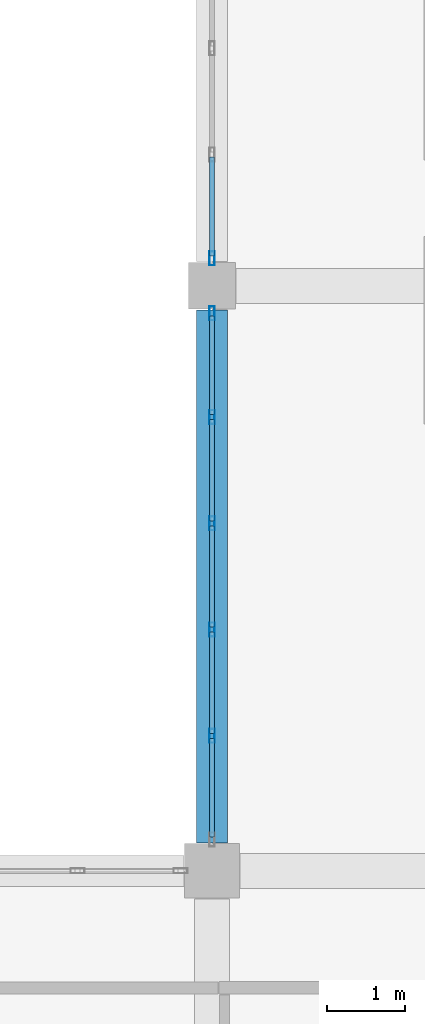
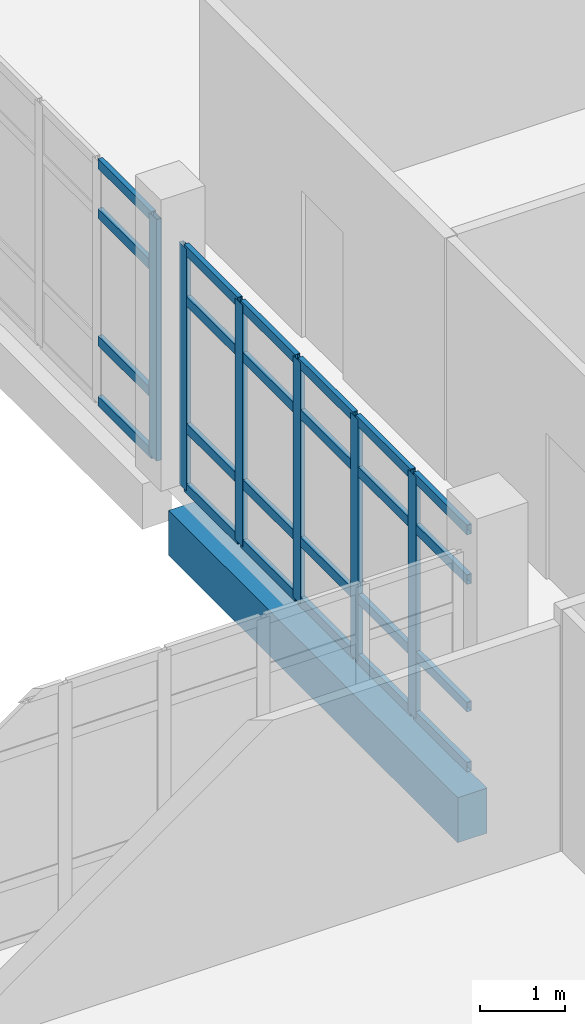
# One storey, part 26 of 164: 30 members, 1 beam, 2 elements without a shape of their own.
"""IFC4 building model written with IfcOpenShell, lengths in metres."""

from ifc_helpers import new_model, si_unit, direction, frame, origin, origin_2d, place, context, subcontext, project, spatial, rectangle, hollow_rectangle, extrude, material, layer, layer_set, material_profile, profile_set, type_object, element, aggregate, save


model = new_model("IFC4")

# Units and contexts
model_context = context("Model", 3, precision=1e-05, world=origin(), true_north=direction((0.0, 1.0)))
body_context = subcontext(model_context, "Body", "Model", "MODEL_VIEW")
ifc_project = project(units=[si_unit("LENGTHUNIT", "METRE"), si_unit("AREAUNIT", "SQUARE_METRE"), si_unit("VOLUMEUNIT", "CUBIC_METRE"), si_unit("PLANEANGLEUNIT", "RADIAN"), si_unit("MASSUNIT", "GRAM", prefix="KILO")], contexts=[model_context])

# Site, building, storey
site_placement = place(None, origin())
site = spatial("IfcSite", under=ifc_project, at=site_placement, CompositionType="ELEMENT")
building_placement = place(site_placement, origin())
building = spatial("IfcBuilding", under=site, at=building_placement, Name="Mawjan Specialist Oncology Clinic", CompositionType="ELEMENT")
storey_placement = place(building_placement, frame((0.0, 0.0, 5.0)))
storey = spatial("IfcBuildingStorey", under=building, at=storey_placement, Name="L01", CompositionType="ELEMENT", Elevation=5.0)

# Curtain wall, members
ifc_material_1 = material(Name="Unitised spectrally selective aluminium curtain wall", Category="aluminium")
ifc_layer = layer(ifc_material_1, 0.179931640625, Name="Unitised spectrally selective aluminium curtain wall", Category="aluminium")
ifc_layer_set = layer_set([ifc_layer], Name="Unitised spectrally selective aluminium curtain wall")
curtain_wall_type = type_object("IfcCurtainWallType", Name="CW-80", PredefinedType="NOTDEFINED", material=ifc_layer_set)
curtain_wall_1_placement = place(storey_placement, origin())
curtain_wall_1 = element("IfcCurtainWall", 1, at=curtain_wall_1_placement, inside=storey, type_object=curtain_wall_type, Name="L01 Unitised Curtain Wall CW-L01-159", PredefinedType="NOTDEFINED")
ifc_material_2 = material(Name="Thermally broken aluminium 6063-T6", Category="aluminium")
ifc_material_profile_1 = material_profile(ifc_material_2, hollow_rectangle(XDim=0.06494140625, YDim=0.179931640625, WallThickness=0.00390625, at=origin_2d()), Name="ALU MULLION 180x65x4", Category="aluminium")
ifc_profile_set_1 = profile_set([ifc_material_profile_1], Name="Thermally broken aluminium 6063-T6")
member_type_1 = type_object("IfcMemberType", Name="CW-M180", PredefinedType="MULLION", material=ifc_profile_set_1)
member_1_placement = place(storey_placement, frame((30.0, 17.531982421875, 0.0), z_axis=(0.0, 0.0, 1.0), x_axis=(-1.0, 0.0, 0.0)))
member_1 = element("IfcMember", 2, at=member_1_placement, type_object=member_type_1, Name="CW-80 mullion 2", PredefinedType="MULLION", context=body_context, shape_type="SweptSolid", body=[
    extrude(hollow_rectangle(XDim=0.06494140625, YDim=0.179931640625, WallThickness=0.00390625, at=origin_2d()), origin(), (0.0, 0.0, 1.0), 3.485107421875),
])
member_2_placement = place(storey_placement, frame((30.0, 18.89404296875, 0.0), z_axis=(0.0, 0.0, 1.0), x_axis=(-1.0, 0.0, 0.0)))
member_2 = element("IfcMember", 3, at=member_2_placement, type_object=member_type_1, Name="CW-80 mullion 3", PredefinedType="MULLION", context=body_context, shape_type="SweptSolid", body=[
    extrude(hollow_rectangle(XDim=0.06494140625, YDim=0.179931640625, WallThickness=0.00390625, at=origin_2d()), origin(), (0.0, 0.0, 1.0), 3.485107421875),
])
member_3_placement = place(storey_placement, frame((30.0, 20.256103515625, 0.0), z_axis=(0.0, 0.0, 1.0), x_axis=(-1.0, 0.0, 0.0)))
member_3 = element("IfcMember", 4, at=member_3_placement, type_object=member_type_1, Name="CW-80 mullion 4", PredefinedType="MULLION", context=body_context, shape_type="SweptSolid", body=[
    extrude(hollow_rectangle(XDim=0.06494140625, YDim=0.179931640625, WallThickness=0.00390625, at=origin_2d()), origin(), (0.0, 0.0, 1.0), 3.485107421875),
])
member_4_placement = place(storey_placement, frame((30.0, 21.617919921875, 0.0), z_axis=(0.0, 0.0, 1.0), x_axis=(-1.0, 0.0, 0.0)))
member_4 = element("IfcMember", 5, at=member_4_placement, type_object=member_type_1, Name="CW-80 mullion 5", PredefinedType="MULLION", context=body_context, shape_type="SweptSolid", body=[
    extrude(hollow_rectangle(XDim=0.06494140625, YDim=0.179931640625, WallThickness=0.00390625, at=origin_2d()), origin(), (0.0, 0.0, 1.0), 3.485107421875),
])
member_5_placement = place(storey_placement, frame((30.0, 22.947509765625, 0.0), z_axis=(0.0, 0.0, 1.0), x_axis=(-1.0, 0.0, 0.0)))
member_5 = element("IfcMember", 6, at=member_5_placement, type_object=member_type_1, Name="CW-80 mullion 6", PredefinedType="MULLION", context=body_context, shape_type="SweptSolid", body=[
    extrude(hollow_rectangle(XDim=0.06494140625, YDim=0.179931640625, WallThickness=0.00390625, at=origin_2d()), origin(), (0.0, 0.0, 1.0), 3.485107421875),
])

# Curtain wall, member
curtain_wall_2_placement = place(storey_placement, origin())
curtain_wall_2 = element("IfcCurtainWall", 7, at=curtain_wall_2_placement, inside=storey, type_object=curtain_wall_type, Name="L01 Unitised Curtain Wall CW-L01-160", PredefinedType="NOTDEFINED")
member_6_placement = place(storey_placement, frame((30.0, 23.652587890625, 0.0), z_axis=(0.0, 0.0, 1.0), x_axis=(-1.0, 0.0, 0.0)))
member_6 = element("IfcMember", 8, at=member_6_placement, type_object=member_type_1, Name="CW-80 mullion 1", PredefinedType="MULLION", context=body_context, shape_type="SweptSolid", body=[
    extrude(hollow_rectangle(XDim=0.06494140625, YDim=0.179931640625, WallThickness=0.00390625, at=origin_2d()), origin(), (0.0, 0.0, 1.0), 3.485107421875),
])

# Member
ifc_material_3 = material(Name="Thermally broken aluminium 6063-T6", Category="aluminium")
ifc_material_profile_2 = material_profile(ifc_material_3, hollow_rectangle(XDim=0.06494140625, YDim=0.139892578125, WallThickness=0.00390625, at=origin_2d()), Name="ALU TRANSOM 140x65x4", Category="aluminium")
ifc_profile_set_2 = profile_set([ifc_material_profile_2], Name="Thermally broken aluminium 6063-T6")
member_type_2 = type_object("IfcMemberType", Name="CW-T140", PredefinedType="USERDEFINED", material=ifc_profile_set_2)
member_7_placement = place(storey_placement, frame((30.0, 16.235107421875, 0.032470703125), z_axis=(0.0, 1.0, 0.0), x_axis=(-1.0, 0.0, 0.0)))
member_7 = element("IfcMember", 9, at=member_7_placement, type_object=member_type_2, Name="CW-80 transom 1.1", ObjectType="TRANSOM", PredefinedType="USERDEFINED", context=body_context, shape_type="SweptSolid", body=[
    extrude(hollow_rectangle(XDim=0.06494140625, YDim=0.139892578125, WallThickness=0.00390625, at=origin_2d()), origin(), (0.0, 0.0, 1.0), 1.264404296875),
])

member_8_placement = place(storey_placement, frame((30.0, 16.235107421875, 0.89990234375), z_axis=(0.0, 1.0, 0.0), x_axis=(-1.0, 0.0, 0.0)))
member_8 = element("IfcMember", 10, at=member_8_placement, type_object=member_type_2, Name="CW-80 transom 1.2", ObjectType="TRANSOM", PredefinedType="USERDEFINED", context=body_context, shape_type="SweptSolid", body=[
    extrude(hollow_rectangle(XDim=0.06494140625, YDim=0.139892578125, WallThickness=0.00390625, at=origin_2d()), origin(), (0.0, 0.0, 1.0), 1.264404296875),
])

member_9_placement = place(storey_placement, frame((30.0, 16.235107421875, 2.735107421875), z_axis=(0.0, 1.0, 0.0), x_axis=(-1.0, 0.0, 0.0)))
member_9 = element("IfcMember", 11, at=member_9_placement, type_object=member_type_2, Name="CW-80 transom 1.3", ObjectType="TRANSOM", PredefinedType="USERDEFINED", context=body_context, shape_type="SweptSolid", body=[
    extrude(hollow_rectangle(XDim=0.06494140625, YDim=0.139892578125, WallThickness=0.00390625, at=origin_2d()), origin(), (0.0, 0.0, 1.0), 1.264404296875),
])

member_10_placement = place(storey_placement, frame((30.0, 16.235107421875, 3.452392578125), z_axis=(0.0, 1.0, 0.0), x_axis=(-1.0, 0.0, 0.0)))
member_10 = element("IfcMember", 12, at=member_10_placement, type_object=member_type_2, Name="CW-80 transom 1.4", ObjectType="TRANSOM", PredefinedType="USERDEFINED", context=body_context, shape_type="SweptSolid", body=[
    extrude(hollow_rectangle(XDim=0.06494140625, YDim=0.139892578125, WallThickness=0.00390625, at=origin_2d()), origin(), (0.0, 0.0, 1.0), 1.264404296875),
])

member_11_placement = place(storey_placement, frame((30.0, 17.564453125, 0.032470703125), z_axis=(0.0, 1.0, 0.0), x_axis=(-1.0, 0.0, 0.0)))
member_11 = element("IfcMember", 13, at=member_11_placement, type_object=member_type_2, Name="CW-80 transom 2.1", ObjectType="TRANSOM", PredefinedType="USERDEFINED", context=body_context, shape_type="SweptSolid", body=[
    extrude(hollow_rectangle(XDim=0.06494140625, YDim=0.139892578125, WallThickness=0.00390625, at=origin_2d()), origin(), (0.0, 0.0, 1.0), 1.297119140625),
])

member_12_placement = place(storey_placement, frame((30.0, 17.564453125, 0.89990234375), z_axis=(0.0, 1.0, 0.0), x_axis=(-1.0, 0.0, 0.0)))
member_12 = element("IfcMember", 14, at=member_12_placement, type_object=member_type_2, Name="CW-80 transom 2.2", ObjectType="TRANSOM", PredefinedType="USERDEFINED", context=body_context, shape_type="SweptSolid", body=[
    extrude(hollow_rectangle(XDim=0.06494140625, YDim=0.139892578125, WallThickness=0.00390625, at=origin_2d()), origin(), (0.0, 0.0, 1.0), 1.297119140625),
])

member_13_placement = place(storey_placement, frame((30.0, 17.564453125, 2.735107421875), z_axis=(0.0, 1.0, 0.0), x_axis=(-1.0, 0.0, 0.0)))
member_13 = element("IfcMember", 15, at=member_13_placement, type_object=member_type_2, Name="CW-80 transom 2.3", ObjectType="TRANSOM", PredefinedType="USERDEFINED", context=body_context, shape_type="SweptSolid", body=[
    extrude(hollow_rectangle(XDim=0.06494140625, YDim=0.139892578125, WallThickness=0.00390625, at=origin_2d()), origin(), (0.0, 0.0, 1.0), 1.297119140625),
])

member_14_placement = place(storey_placement, frame((30.0, 17.564453125, 3.452392578125), z_axis=(0.0, 1.0, 0.0), x_axis=(-1.0, 0.0, 0.0)))
member_14 = element("IfcMember", 16, at=member_14_placement, type_object=member_type_2, Name="CW-80 transom 2.4", ObjectType="TRANSOM", PredefinedType="USERDEFINED", context=body_context, shape_type="SweptSolid", body=[
    extrude(hollow_rectangle(XDim=0.06494140625, YDim=0.139892578125, WallThickness=0.00390625, at=origin_2d()), origin(), (0.0, 0.0, 1.0), 1.297119140625),
])

member_15_placement = place(storey_placement, frame((30.0, 18.926513671875, 0.032470703125), z_axis=(0.0, 1.0, 0.0), x_axis=(-1.0, 0.0, 0.0)))
member_15 = element("IfcMember", 17, at=member_15_placement, type_object=member_type_2, Name="CW-80 transom 3.1", ObjectType="TRANSOM", PredefinedType="USERDEFINED", context=body_context, shape_type="SweptSolid", body=[
    extrude(hollow_rectangle(XDim=0.06494140625, YDim=0.139892578125, WallThickness=0.00390625, at=origin_2d()), origin(), (0.0, 0.0, 1.0), 1.296875),
])

member_16_placement = place(storey_placement, frame((30.0, 18.926513671875, 0.89990234375), z_axis=(0.0, 1.0, 0.0), x_axis=(-1.0, 0.0, 0.0)))
member_16 = element("IfcMember", 18, at=member_16_placement, type_object=member_type_2, Name="CW-80 transom 3.2", ObjectType="TRANSOM", PredefinedType="USERDEFINED", context=body_context, shape_type="SweptSolid", body=[
    extrude(hollow_rectangle(XDim=0.06494140625, YDim=0.139892578125, WallThickness=0.00390625, at=origin_2d()), origin(), (0.0, 0.0, 1.0), 1.296875),
])

member_17_placement = place(storey_placement, frame((30.0, 18.926513671875, 2.735107421875), z_axis=(0.0, 1.0, 0.0), x_axis=(-1.0, 0.0, 0.0)))
member_17 = element("IfcMember", 19, at=member_17_placement, type_object=member_type_2, Name="CW-80 transom 3.3", ObjectType="TRANSOM", PredefinedType="USERDEFINED", context=body_context, shape_type="SweptSolid", body=[
    extrude(hollow_rectangle(XDim=0.06494140625, YDim=0.139892578125, WallThickness=0.00390625, at=origin_2d()), origin(), (0.0, 0.0, 1.0), 1.296875),
])

member_18_placement = place(storey_placement, frame((30.0, 18.926513671875, 3.452392578125), z_axis=(0.0, 1.0, 0.0), x_axis=(-1.0, 0.0, 0.0)))
member_18 = element("IfcMember", 20, at=member_18_placement, type_object=member_type_2, Name="CW-80 transom 3.4", ObjectType="TRANSOM", PredefinedType="USERDEFINED", context=body_context, shape_type="SweptSolid", body=[
    extrude(hollow_rectangle(XDim=0.06494140625, YDim=0.139892578125, WallThickness=0.00390625, at=origin_2d()), origin(), (0.0, 0.0, 1.0), 1.296875),
])

member_19_placement = place(storey_placement, frame((30.0, 20.28857421875, 0.032470703125), z_axis=(0.0, 1.0, 0.0), x_axis=(-1.0, 0.0, 0.0)))
member_19 = element("IfcMember", 21, at=member_19_placement, type_object=member_type_2, Name="CW-80 transom 4.1", ObjectType="TRANSOM", PredefinedType="USERDEFINED", context=body_context, shape_type="SweptSolid", body=[
    extrude(hollow_rectangle(XDim=0.06494140625, YDim=0.139892578125, WallThickness=0.00390625, at=origin_2d()), origin(), (0.0, 0.0, 1.0), 1.296875),
])

member_20_placement = place(storey_placement, frame((30.0, 20.28857421875, 0.89990234375), z_axis=(0.0, 1.0, 0.0), x_axis=(-1.0, 0.0, 0.0)))
member_20 = element("IfcMember", 22, at=member_20_placement, type_object=member_type_2, Name="CW-80 transom 4.2", ObjectType="TRANSOM", PredefinedType="USERDEFINED", context=body_context, shape_type="SweptSolid", body=[
    extrude(hollow_rectangle(XDim=0.06494140625, YDim=0.139892578125, WallThickness=0.00390625, at=origin_2d()), origin(), (0.0, 0.0, 1.0), 1.296875),
])

member_21_placement = place(storey_placement, frame((30.0, 20.28857421875, 2.735107421875), z_axis=(0.0, 1.0, 0.0), x_axis=(-1.0, 0.0, 0.0)))
member_21 = element("IfcMember", 23, at=member_21_placement, type_object=member_type_2, Name="CW-80 transom 4.3", ObjectType="TRANSOM", PredefinedType="USERDEFINED", context=body_context, shape_type="SweptSolid", body=[
    extrude(hollow_rectangle(XDim=0.06494140625, YDim=0.139892578125, WallThickness=0.00390625, at=origin_2d()), origin(), (0.0, 0.0, 1.0), 1.296875),
])

member_22_placement = place(storey_placement, frame((30.0, 20.28857421875, 3.452392578125), z_axis=(0.0, 1.0, 0.0), x_axis=(-1.0, 0.0, 0.0)))
member_22 = element("IfcMember", 24, at=member_22_placement, type_object=member_type_2, Name="CW-80 transom 4.4", ObjectType="TRANSOM", PredefinedType="USERDEFINED", context=body_context, shape_type="SweptSolid", body=[
    extrude(hollow_rectangle(XDim=0.06494140625, YDim=0.139892578125, WallThickness=0.00390625, at=origin_2d()), origin(), (0.0, 0.0, 1.0), 1.296875),
])

member_23_placement = place(storey_placement, frame((30.0, 21.650390625, 0.032470703125), z_axis=(0.0, 1.0, 0.0), x_axis=(-1.0, 0.0, 0.0)))
member_23 = element("IfcMember", 25, at=member_23_placement, type_object=member_type_2, Name="CW-80 transom 5.1", ObjectType="TRANSOM", PredefinedType="USERDEFINED", context=body_context, shape_type="SweptSolid", body=[
    extrude(hollow_rectangle(XDim=0.06494140625, YDim=0.139892578125, WallThickness=0.00390625, at=origin_2d()), origin(), (0.0, 0.0, 1.0), 1.2646484375),
])

member_24_placement = place(storey_placement, frame((30.0, 21.650390625, 0.89990234375), z_axis=(0.0, 1.0, 0.0), x_axis=(-1.0, 0.0, 0.0)))
member_24 = element("IfcMember", 26, at=member_24_placement, type_object=member_type_2, Name="CW-80 transom 5.2", ObjectType="TRANSOM", PredefinedType="USERDEFINED", context=body_context, shape_type="SweptSolid", body=[
    extrude(hollow_rectangle(XDim=0.06494140625, YDim=0.139892578125, WallThickness=0.00390625, at=origin_2d()), origin(), (0.0, 0.0, 1.0), 1.2646484375),
])

member_25_placement = place(storey_placement, frame((30.0, 21.650390625, 2.735107421875), z_axis=(0.0, 1.0, 0.0), x_axis=(-1.0, 0.0, 0.0)))
member_25 = element("IfcMember", 27, at=member_25_placement, type_object=member_type_2, Name="CW-80 transom 5.3", ObjectType="TRANSOM", PredefinedType="USERDEFINED", context=body_context, shape_type="SweptSolid", body=[
    extrude(hollow_rectangle(XDim=0.06494140625, YDim=0.139892578125, WallThickness=0.00390625, at=origin_2d()), origin(), (0.0, 0.0, 1.0), 1.2646484375),
])

member_26_placement = place(storey_placement, frame((30.0, 21.650390625, 3.452392578125), z_axis=(0.0, 1.0, 0.0), x_axis=(-1.0, 0.0, 0.0)))
member_26 = element("IfcMember", 28, at=member_26_placement, type_object=member_type_2, Name="CW-80 transom 5.4", ObjectType="TRANSOM", PredefinedType="USERDEFINED", context=body_context, shape_type="SweptSolid", body=[
    extrude(hollow_rectangle(XDim=0.06494140625, YDim=0.139892578125, WallThickness=0.00390625, at=origin_2d()), origin(), (0.0, 0.0, 1.0), 1.2646484375),
])

aggregate(curtain_wall_1, [member_1, member_2, member_3, member_4, member_5, member_7, member_8, member_9, member_10, member_11, member_12, member_13, member_14, member_15, member_16, member_17, member_18, member_19, member_20, member_21, member_22, member_23, member_24, member_25, member_26])

member_27_placement = place(storey_placement, frame((30.0, 23.68505859375, 0.032470703125), z_axis=(0.0, 1.0, 0.0), x_axis=(-1.0, 0.0, 0.0)))
member_27 = element("IfcMember", 29, at=member_27_placement, type_object=member_type_2, Name="CW-80 transom 1.1", ObjectType="TRANSOM", PredefinedType="USERDEFINED", context=body_context, shape_type="SweptSolid", body=[
    extrude(hollow_rectangle(XDim=0.06494140625, YDim=0.139892578125, WallThickness=0.00390625, at=origin_2d()), origin(), (0.0, 0.0, 1.0), 1.264404296875),
])

member_28_placement = place(storey_placement, frame((30.0, 23.68505859375, 0.89990234375), z_axis=(0.0, 1.0, 0.0), x_axis=(-1.0, 0.0, 0.0)))
member_28 = element("IfcMember", 30, at=member_28_placement, type_object=member_type_2, Name="CW-80 transom 1.2", ObjectType="TRANSOM", PredefinedType="USERDEFINED", context=body_context, shape_type="SweptSolid", body=[
    extrude(hollow_rectangle(XDim=0.06494140625, YDim=0.139892578125, WallThickness=0.00390625, at=origin_2d()), origin(), (0.0, 0.0, 1.0), 1.264404296875),
])

member_29_placement = place(storey_placement, frame((30.0, 23.68505859375, 2.735107421875), z_axis=(0.0, 1.0, 0.0), x_axis=(-1.0, 0.0, 0.0)))
member_29 = element("IfcMember", 31, at=member_29_placement, type_object=member_type_2, Name="CW-80 transom 1.3", ObjectType="TRANSOM", PredefinedType="USERDEFINED", context=body_context, shape_type="SweptSolid", body=[
    extrude(hollow_rectangle(XDim=0.06494140625, YDim=0.139892578125, WallThickness=0.00390625, at=origin_2d()), origin(), (0.0, 0.0, 1.0), 1.264404296875),
])

member_30_placement = place(storey_placement, frame((30.0, 23.68505859375, 3.452392578125), z_axis=(0.0, 1.0, 0.0), x_axis=(-1.0, 0.0, 0.0)))
member_30 = element("IfcMember", 32, at=member_30_placement, type_object=member_type_2, Name="CW-80 transom 1.4", ObjectType="TRANSOM", PredefinedType="USERDEFINED", context=body_context, shape_type="SweptSolid", body=[
    extrude(hollow_rectangle(XDim=0.06494140625, YDim=0.139892578125, WallThickness=0.00390625, at=origin_2d()), origin(), (0.0, 0.0, 1.0), 1.264404296875),
])

aggregate(curtain_wall_2, [member_6, member_27, member_28, member_29, member_30])

# Beam
ifc_material_4 = material(Name="Concrete C45/55", Category="concrete")
ifc_material_profile_3 = material_profile(ifc_material_4, rectangle(XDim=0.39990234375, YDim=0.64990234375, at=origin_2d()), Name="RC BM 400x650", Category="concrete")
ifc_profile_set_3 = profile_set([ifc_material_profile_3], Name="Concrete C45/55")
beam_type = type_object("IfcBeamType", Name="SP-400x650", PredefinedType="SPANDREL", material=ifc_profile_set_3)
beam_placement = place(storey_placement, frame((30.0, 16.159912109375, -0.625), z_axis=(0.0, 1.0, 0.0), x_axis=(-1.0, 0.0, 0.0)))
element("IfcBeam", 33, at=beam_placement, inside=storey, type_object=beam_type, Name="L01 Spandrel Beam BM-L01-0454", PredefinedType="SPANDREL", context=body_context, shape_type="SweptSolid", body=[
    extrude(rectangle(XDim=0.39990234375, YDim=0.64990234375, at=origin_2d()), origin(), (0.0, 0.0, 1.0), 6.830078125),
])

save(model, "model.ifc")
